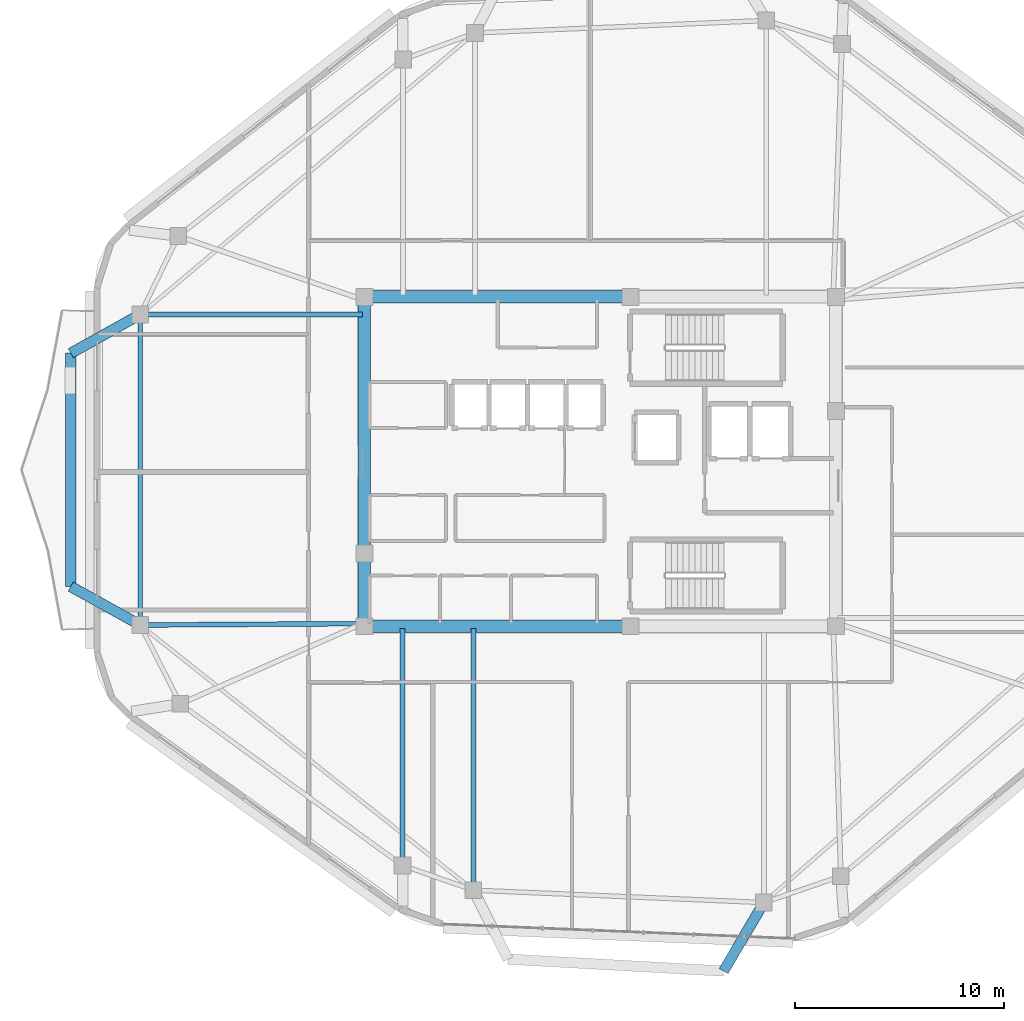
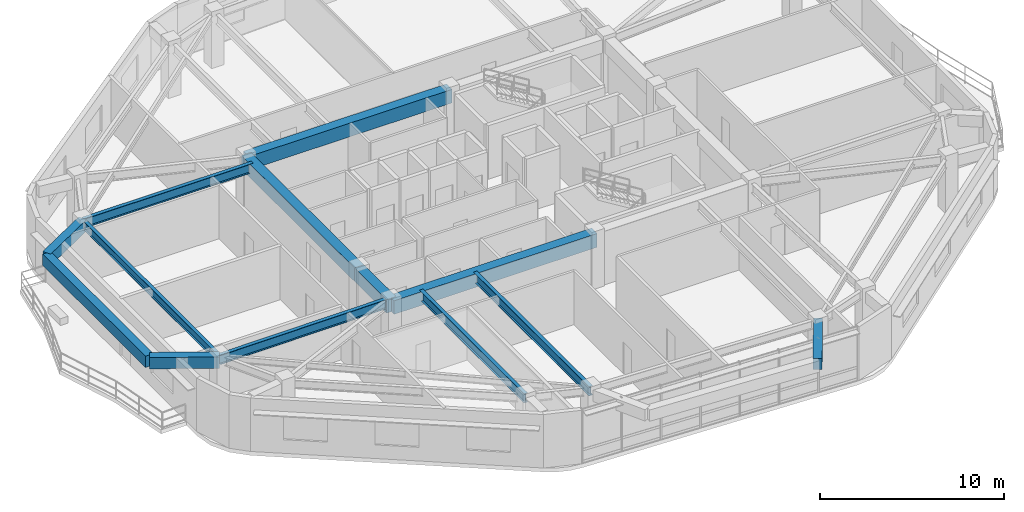
# One storey, part 4 of 13: 13 beams.
"""IFC4 building model written with IfcOpenShell, lengths in metres."""

from ifc_helpers import new_model, si_unit, direction, frame, origin, origin_2d, place, context, subcontext, project, spatial, rectangle, i_section, extrude, material, material_profile, profile_set, type_object, element, save


model = new_model("IFC4")

# Units and contexts
model_context = context("Model", 3, precision=1e-05, world=origin(), true_north=direction((0.0, 1.0)))
body_context = subcontext(model_context, "Body", "Model", "MODEL_VIEW")
ifc_project = project(units=[si_unit("LENGTHUNIT", "METRE"), si_unit("AREAUNIT", "SQUARE_METRE"), si_unit("VOLUMEUNIT", "CUBIC_METRE"), si_unit("PLANEANGLEUNIT", "RADIAN"), si_unit("MASSUNIT", "GRAM", prefix="KILO")], contexts=[model_context])

# Site, building, storey
site_placement = place(None, origin())
site = spatial("IfcSite", under=ifc_project, at=site_placement, CompositionType="ELEMENT")
building_placement = place(site_placement, origin())
building = spatial("IfcBuilding", under=site, at=building_placement, Name="Zulverin Broadcast Headquarters", CompositionType="ELEMENT")
storey_placement = place(building_placement, frame((0.0, 0.0, 301.0)))
storey = spatial("IfcBuildingStorey", under=building, at=storey_placement, Name="L77", CompositionType="ELEMENT", Elevation=301.0)

# Beams
ifc_material_1 = material(Name="Concrete C60/75", Category="concrete")
ifc_material_profile_1 = material_profile(ifc_material_1, rectangle(XDim=0.60009765625, YDim=0.89990234375, at=origin_2d()), Name="Concrete C60/75", Category="concrete")
ifc_profile_set_1 = profile_set([ifc_material_profile_1], Name="Concrete C60/75")
beam_type_1 = type_object("IfcBeamType", Name="BM-CB-600x900", PredefinedType="LINTEL", material=ifc_profile_set_1)
for number, where, z_axis, x_axis, name in (
    (1, (25.72509765625, 17.324951171875, 3.090087890625), (1.0, 0.0, 0.0), (0.0, 1.0, 0.0), "L77 Core Coupling Girder K01-K02"),
    (2, (38.449951171875, 33.074951171875, 3.090087890625), (-1.0, 0.0, 0.0), (0.0, -1.0, 0.0), "L77 Core Coupling Girder K06-K07"),
):
    element("IfcBeam", number, at=place(storey_placement, frame(where, z_axis=z_axis, x_axis=x_axis)), inside=storey, type_object=beam_type_1, Name=name, PredefinedType="LINTEL", context=body_context, shape_type="SweptSolid", body=[
        extrude(rectangle(XDim=0.60009765625, YDim=0.89990234375, at=origin_2d()), origin(), (0.0, 0.0, 1.0), 12.724853515625),
    ])
beam_1_placement = place(storey_placement, frame((25.72509765625, 33.074951171875, 3.090087890625), z_axis=(0.0, -1.0, 0.0), x_axis=(1.0, 0.0, 0.0)))
element("IfcBeam", 3, at=beam_1_placement, inside=storey, type_object=beam_type_1, Name="L77 Core Coupling Girder K07-K08", PredefinedType="LINTEL", context=body_context, shape_type="SweptSolid", body=[
    extrude(rectangle(XDim=0.60009765625, YDim=0.89990234375, at=origin_2d()), origin(), (0.0, 0.0, 1.0), 12.27490234375),
])
beam_2_placement = place(storey_placement, frame((25.72509765625, 20.800048828125, 3.090087890625), z_axis=(0.0, -1.0, 0.0), x_axis=(1.0, 0.0, 0.0)))
element("IfcBeam", 4, at=beam_2_placement, inside=storey, type_object=beam_type_1, Name="L77 Core Coupling Girder K08-K01", PredefinedType="LINTEL", context=body_context, shape_type="SweptSolid", body=[
    extrude(rectangle(XDim=0.60009765625, YDim=0.89990234375, at=origin_2d()), origin(), (0.0, 0.0, 1.0), 3.47509765625),
])
ifc_material_2 = material(Name="Concrete C40/50", Category="concrete")
ifc_material_profile_2 = material_profile(ifc_material_2, rectangle(XDim=0.5, YDim=0.75, at=origin_2d()), Name="Concrete C40/50", Category="concrete")
ifc_profile_set_2 = profile_set([ifc_material_profile_2], Name="Concrete C40/50")
beam_type_2 = type_object("IfcBeamType", Name="BM-RC-500x750", PredefinedType="BEAM", material=ifc_profile_set_2)
for number, where, z_axis, x_axis, name in (
    (5, (15.0, 32.236083984375, 3.1650390625), (-0.873048873834, -0.487632714137, 0.0), (0.487632714137, -0.873048873834, 0.0), "L78 Balcony Column-Framed Cantilever BAL_W-1"),
    (6, (15.0, 17.383056640625, 3.1650390625), (-0.874614506894, 0.484819001618, 0.0), (-0.484819001618, -0.874614506894, 0.0), "L78 Balcony Column-Framed Cantilever BAL_W-2"),
):
    element("IfcBeam", number, at=place(storey_placement, frame(where, z_axis=z_axis, x_axis=x_axis)), inside=storey, type_object=beam_type_2, Name=name, PredefinedType="BEAM", context=body_context, shape_type="SweptSolid", body=[
        extrude(rectangle(XDim=0.5, YDim=0.75, at=origin_2d()), origin(), (0.0, 0.0, 1.0), 3.800048828125),
    ])
beam_3_placement = place(storey_placement, frame((11.682373046875, 30.383056640625, 3.1650390625), z_axis=(-0.000525141059, -0.999999862113, 0.0), x_axis=(0.999999862113, -0.000525141059, 0.0)))
element("IfcBeam", 7, at=beam_3_placement, inside=storey, type_object=beam_type_2, Name="L78 Balcony Outer Edge Trimmer Beam BAL_W", PredefinedType="BEAM", context=body_context, shape_type="SweptSolid", body=[
    extrude(rectangle(XDim=0.5, YDim=0.75, at=origin_2d()), origin(), (0.0, 0.0, 1.0), 11.15771484375),
])
beam_4_placement = place(storey_placement, frame((44.826904296875, 4.1083984375, 3.1650390625), z_axis=(-0.506983625126, -0.861955685551, 0.0), x_axis=(0.861955685551, -0.506983625126, 0.0)))
element("IfcBeam", 8, at=beam_4_placement, inside=storey, type_object=beam_type_2, Name="L78 Balcony Column-Framed Cantilever BAL_S-2", PredefinedType="BEAM", context=body_context, shape_type="SweptSolid", body=[
    extrude(rectangle(XDim=0.5, YDim=0.75, at=origin_2d()), origin(), (0.0, 0.0, 1.0), 3.800048828125),
])
ifc_material_3 = material(Name="Structural steel S355JR", Category="steel")
ifc_material_profile_3 = material_profile(ifc_material_3, i_section(OverallWidth=0.2119140625, OverallDepth=0.54443359375, WebThickness=0.0126953125, FlangeThickness=0.021240234375, at=origin_2d()), Name="Structural steel S355JR", Category="steel")
ifc_profile_set_3 = profile_set([ifc_material_profile_3], Name="Structural steel S355JR")
beam_type_3 = type_object("IfcBeamType", Name="BM-UB-533", PredefinedType="SPANDREL", material=ifc_profile_set_3)
beam_5_placement = place(storey_placement, frame((15.0, 32.236083984375, 3.267822265625), z_axis=(0.0, -1.0, 0.0), x_axis=(1.0, 0.0, 0.0)))
element("IfcBeam", 9, at=beam_5_placement, inside=storey, type_object=beam_type_3, Name="L77 Perimeter Spandrel Beam SP-13", PredefinedType="SPANDREL", context=body_context, shape_type="SweptSolid", body=[
    extrude(i_section(OverallWidth=0.2119140625, OverallDepth=0.54443359375, WebThickness=0.0126953125, FlangeThickness=0.021240234375, at=origin_2d()), origin(), (0.0, 0.0, 1.0), 14.85302734375),
])
ifc_material_profile_4 = material_profile(ifc_material_3, i_section(OverallWidth=0.230224609375, OverallDepth=0.6171875, WebThickness=0.01318359375, FlangeThickness=0.022216796875, at=origin_2d()), Name="Structural steel S355JR", Category="steel")
ifc_profile_set_4 = profile_set([ifc_material_profile_4], Name="Structural steel S355JR")
beam_type_4 = type_object("IfcBeamType", Name="BM-UB-610", PredefinedType="BEAM", material=ifc_profile_set_4)
beam_6_placement = place(storey_placement, frame((30.93359375, 17.22509765625, 3.2314453125), z_axis=(0.0, -1.0, 0.0), x_axis=(1.0, 0.0, 0.0)))
element("IfcBeam", 10, at=beam_6_placement, inside=storey, type_object=beam_type_4, Name="L77 Radial Primary Floor Beam RB-01", PredefinedType="BEAM", context=body_context, shape_type="SweptSolid", body=[
    extrude(i_section(OverallWidth=0.230224609375, OverallDepth=0.6171875, WebThickness=0.01318359375, FlangeThickness=0.022216796875, at=origin_2d()), origin(), (0.0, 0.0, 1.0), 12.52197265625),
])
beam_7_placement = place(storey_placement, frame((25.625, 32.236083984375, 3.2314453125), z_axis=(-1.0, 0.0, 0.0), x_axis=(0.0, -1.0, 0.0)))
element("IfcBeam", 11, at=beam_7_placement, inside=storey, type_object=beam_type_4, Name="L77 Radial Primary Floor Beam RB-13", PredefinedType="BEAM", context=body_context, shape_type="SweptSolid", body=[
    extrude(i_section(OverallWidth=0.230224609375, OverallDepth=0.6171875, WebThickness=0.01318359375, FlangeThickness=0.022216796875, at=origin_2d()), origin(), (0.0, 0.0, 1.0), 10.625),
])
beam_8_placement = place(storey_placement, frame((25.625, 17.449951171875, 3.2314453125), z_axis=(-0.999980181059, -0.006295831103, 0.0), x_axis=(0.006295831103, -0.999980181059, 0.0)))
element("IfcBeam", 12, at=beam_8_placement, inside=storey, type_object=beam_type_4, Name="L77 Radial Primary Floor Beam RB-14", PredefinedType="BEAM", context=body_context, shape_type="SweptSolid", body=[
    extrude(i_section(OverallWidth=0.230224609375, OverallDepth=0.6171875, WebThickness=0.01318359375, FlangeThickness=0.022216796875, at=origin_2d()), origin(), (0.0, 0.0, 1.0), 10.625244140625),
])
beam_9_placement = place(storey_placement, frame((27.54541015625, 17.22509765625, 3.2314453125), z_axis=(0.0, -1.0, 0.0), x_axis=(1.0, 0.0, 0.0)))
element("IfcBeam", 13, at=beam_9_placement, inside=storey, type_object=beam_type_4, Name="L77 Radial Primary Floor Beam RB-16", PredefinedType="BEAM", context=body_context, shape_type="SweptSolid", body=[
    extrude(i_section(OverallWidth=0.230224609375, OverallDepth=0.6171875, WebThickness=0.01318359375, FlangeThickness=0.022216796875, at=origin_2d()), origin(), (0.0, 0.0, 1.0), 11.33935546875),
])

save(model, "model.ifc")
